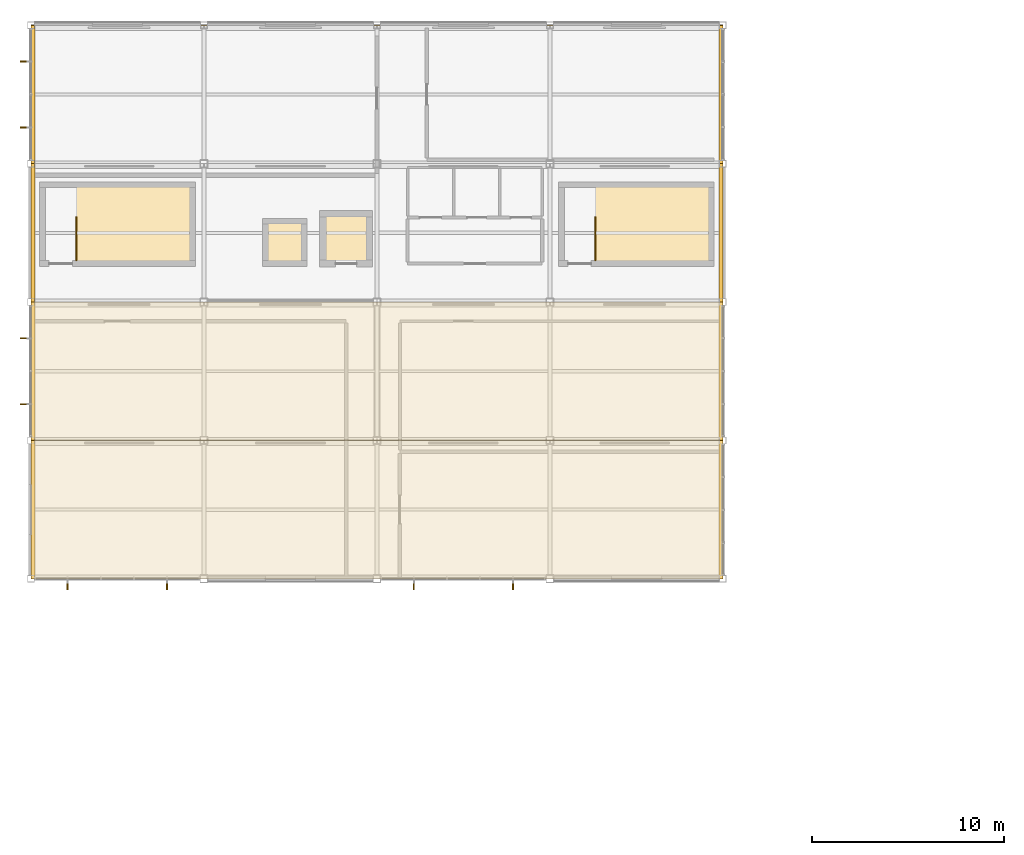
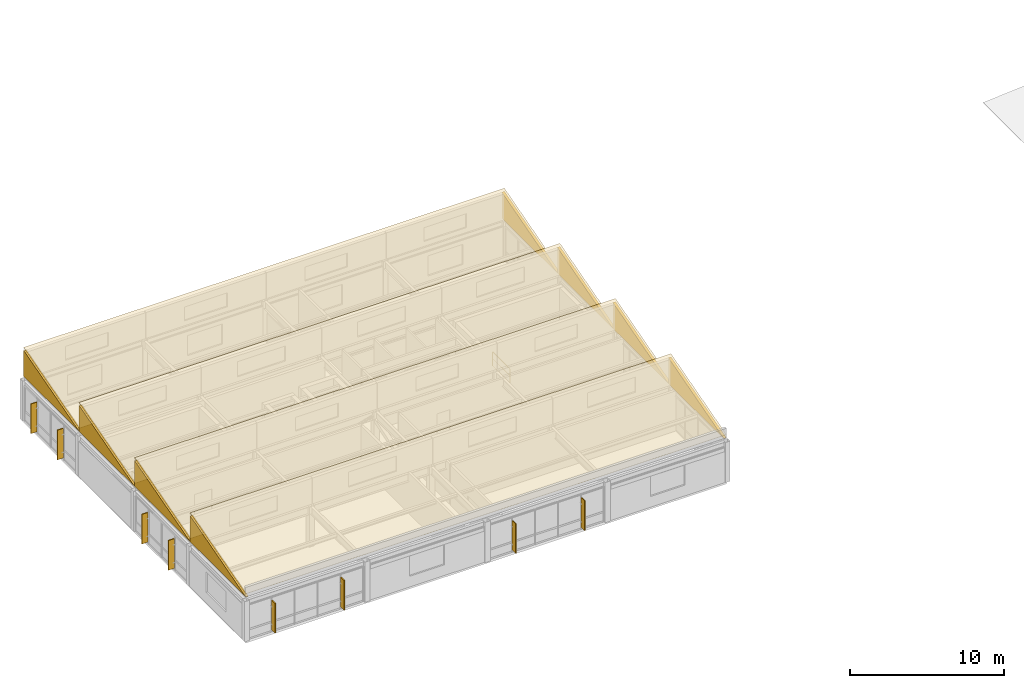
# One storey, part 41 of 43: 12 coverings, 8 shading devices, 2 railings.
"""IFC4 building model written with IfcOpenShell, lengths in metres."""

from ifc_helpers import new_model, si_unit, direction, frame, origin, origin_2d, place, context, subcontext, project, spatial, polyline, rectangle, outline, extrude, material, layer, layer_set, type_object, element, save


model = new_model("IFC4")

# Units and contexts
model_context = context("Model", 3, precision=1e-05, world=origin(), true_north=direction((0.0, 1.0)))
body_context = subcontext(model_context, "Body", "Model", "MODEL_VIEW")
ifc_project = project(units=[si_unit("LENGTHUNIT", "METRE"), si_unit("AREAUNIT", "SQUARE_METRE"), si_unit("VOLUMEUNIT", "CUBIC_METRE"), si_unit("PLANEANGLEUNIT", "RADIAN"), si_unit("MASSUNIT", "GRAM", prefix="KILO")], contexts=[model_context])

# Site, building, storey
site_placement = place(None, origin())
site = spatial("IfcSite", under=ifc_project, at=site_placement, CompositionType="ELEMENT")
building_placement = place(site_placement, origin())
building = spatial("IfcBuilding", under=site, at=building_placement, Name="Kazanami Central Library", CompositionType="ELEMENT")
storey_placement = place(building_placement, frame((0.0, 0.0, 20.60009765625)))
storey = spatial("IfcBuildingStorey", under=building, at=storey_placement, Name="L06", CompositionType="ELEMENT", Elevation=20.60009765625)

# Coverings
ifc_material_1 = material(Name="Honed Inada Granite", Category="masonry")
ifc_layer_1 = layer(ifc_material_1, 0.199951171875, Name="Honed Inada Granite")
ifc_layer_set_1 = layer_set([ifc_layer_1], Name="Honed Inada Granite")
covering_type_1 = type_object("IfcCoveringType", Name="COV-GAB-200", PredefinedType="CLADDING", material=ifc_layer_set_1)
for number, where, z_axis, x_axis, name in (
    (1, (0.199951171875, 64.800048828125, 3.39990234375), (1.0, 0.0, 0.0), (0.0, 1.0, 0.0), "Sawtooth Granite Gable Cheek West SAW-L06-V4-1"),
    (2, (36.0, 64.800048828125, 3.39990234375), (1.0, 0.0, 0.0), (0.0, 1.0, 0.0), "Sawtooth Granite Gable Cheek East SAW-L06-V4-1"),
    (3, (0.199951171875, 72.0, 3.39990234375), (1.0, 0.0, 0.0), (0.0, 1.0, 0.0), "Sawtooth Granite Gable Cheek West SAW-L06-V4-2"),
    (4, (36.0, 72.0, 3.39990234375), (1.0, 0.0, 0.0), (0.0, 1.0, 0.0), "Sawtooth Granite Gable Cheek East SAW-L06-V4-2"),
    (5, (0.199951171875, 79.199951171875, 3.39990234375), (1.0, 0.0, 0.0), (0.0, 1.0, 0.0), "Sawtooth Granite Gable Cheek West SAW-L06-V4-3"),
    (6, (36.0, 79.199951171875, 3.39990234375), (1.0, 0.0, 0.0), (0.0, 1.0, 0.0), "Sawtooth Granite Gable Cheek East SAW-L06-V4-3"),
):
    element("IfcCovering", number, at=place(storey_placement, frame(where, z_axis=z_axis, x_axis=x_axis)), inside=storey, type_object=covering_type_1, Name=name, PredefinedType="CLADDING", context=body_context, shape_type="SweptSolid", body=[
        extrude(outline(polyline([(0.0, 0.0), (7.199951171875, 0.0), (7.199951171875, 2.050048828125), (0.0, 0.0)])), origin(), (0.0, 0.0, -1.0), 0.199951171875),
    ])
for number, where, z_axis, x_axis, name in (
    (7, (0.199951171875, 86.39990234375, 3.39990234375), (1.0, 0.0, 0.0), (0.0, 1.0, 0.0), "Sawtooth Granite Gable Cheek West SAW-L06-V4-4"),
    (8, (36.0, 86.39990234375, 3.39990234375), (1.0, 0.0, 0.0), (0.0, 1.0, 0.0), "Sawtooth Granite Gable Cheek East SAW-L06-V4-4"),
):
    element("IfcCovering", number, at=place(storey_placement, frame(where, z_axis=z_axis, x_axis=x_axis)), inside=storey, type_object=covering_type_1, Name=name, PredefinedType="CLADDING", context=body_context, shape_type="SweptSolid", body=[
        extrude(outline(polyline([(0.0, 0.0), (7.2001953125, 0.0), (7.2001953125, 2.050048828125), (0.0, 0.0)])), origin(), (0.0, 0.0, -1.0), 0.199951171875),
    ])
ifc_material_2 = material(Name="Standing-Seam Titanium Zinc")
ifc_layer_2 = layer(ifc_material_2, 0.034912109375, Name="Standing-Seam Titanium Zinc")
ifc_layer_set_2 = layer_set([ifc_layer_2], Name="Standing-Seam Titanium Zinc")
covering_type_2 = type_object("IfcCoveringType", Name="COV-ZNC-35", PredefinedType="ROOFING", material=ifc_layer_set_2)
for number, where, z_axis, x_axis, name in (
    (9, (0.0, 64.800048828125, 3.644287109375), (0.0, -0.273846631803, 0.961773373644), (1.0, 0.0, 0.0), "Standing-Seam Zinc Sawtooth Roofing SAW-L06-V4-1"),
    (10, (0.0, 72.0, 3.644287109375), (0.0, -0.273846631803, 0.961773373644), (1.0, 0.0, 0.0), "Standing-Seam Zinc Sawtooth Roofing SAW-L06-V4-2"),
    (11, (0.0, 79.199951171875, 3.644287109375), (0.0, -0.273846631803, 0.961773373644), (1.0, 0.0, 0.0), "Standing-Seam Zinc Sawtooth Roofing SAW-L06-V4-3"),
):
    element("IfcCovering", number, at=place(storey_placement, frame(where, z_axis=z_axis, x_axis=x_axis)), inside=storey, type_object=covering_type_2, Name=name, PredefinedType="ROOFING", context=body_context, shape_type="SweptSolid", body=[
        extrude(outline(polyline([(0.0, 0.0), (36.0, 0.0), (36.0, 7.486120295258477), (0.0, 7.486120295258477), (0.0, 0.0)])), origin(), (0.0, 0.0, -1.0), 0.034912109375),
    ])
covering_placement = place(storey_placement, frame((0.0, 86.39990234375, 3.644287109375), z_axis=(0.0, -0.27383804265, 0.9617758192), x_axis=(1.0, 0.0, 0.0)))
element("IfcCovering", 12, at=covering_placement, inside=storey, type_object=covering_type_2, Name="Standing-Seam Zinc Sawtooth Roofing SAW-L06-V4-4", PredefinedType="ROOFING", context=body_context, shape_type="SweptSolid", body=[
    extrude(outline(polyline([(0.0, 0.0), (36.0, 0.0), (36.0, 7.486355103509561), (0.0, 7.486355103509561), (0.0, 0.0)])), origin(), (0.0, 0.0, -1.0), 0.034912109375),
])

# Railings
ifc_material_3 = material(Name="Stainless Steel SUS304", Category="steel")
railing_type = type_object("IfcRailingType", Name="RAL-GR-S1", PredefinedType="GUARDRAIL", material=ifc_material_3)
for number, where, name in (
    (13, (2.360107421875, 81.3701171875, 0.0), "Stair Well Guard ST-05 L06"),
    (14, (29.360107421875, 81.3701171875, 0.0), "Stair Well Guard ST-06 L06"),
):
    element("IfcRailing", number, at=place(storey_placement, frame(where)), inside=storey, type_object=railing_type, Name=name, PredefinedType="GUARDRAIL", context=body_context, shape_type="SweptSolid", body=[
        extrude(rectangle(XDim=0.0439453125, YDim=0.0439453125, at=origin_2d()), frame((0.0, 0.02587890625, 1.1279296875), z_axis=(0.0, 1.0, 0.0), x_axis=(-1.0, 0.0, 0.0)), (0.0, 0.0, 1.0), 2.207763671875),
        extrude(rectangle(XDim=0.02392578125, YDim=0.02392578125, at=origin_2d()), frame((0.0, 0.02587890625, 0.015869140625), z_axis=(0.0, 1.0, 0.0), x_axis=(-1.0, 0.0, 0.0)), (0.0, 0.0, 1.0), 2.207763671875),
        extrude(rectangle(XDim=0.02392578125, YDim=0.02392578125, at=origin_2d()), frame((0.0, 0.02587890625, 0.574951171875), z_axis=(0.0, 1.0, 0.0), x_axis=(-1.0, 0.0, 0.0)), (0.0, 0.0, 1.0), 2.207763671875),
        extrude(rectangle(XDim=0.035888671875, YDim=0.035888671875, at=origin_2d()), origin(), (0.0, 0.0, 1.0), 1.10205078125),
        extrude(rectangle(XDim=0.035888671875, YDim=0.035888671875, at=origin_2d()), frame((0.0, 2.259765625, 0.0)), (0.0, 0.0, 1.0), 1.10205078125),
    ])

# Shading devices
ifc_material_4 = material(Name="Anodised Bronze-Grey Aluminium A6063-T5", Category="aluminium")
shading_device_type = type_object("IfcShadingDeviceType", Name="SHD-FIN-3", PredefinedType="USERDEFINED", material=ifc_material_4)
for number, where, z_axis, x_axis, name in (
    (15, (1.89990234375, 64.455078125, 0.21484375), (0.0, 0.0, 1.0), (1.0, 0.0, 0.0), "Vertical Solar Fin SF-03 L06 S-K-00.1"),
    (16, (7.074951171875, 64.455078125, 0.21484375), (0.0, 0.0, 1.0), (1.0, 0.0, 0.0), "Vertical Solar Fin SF-03 L06 S-K-00.2"),
    (17, (19.919921875, 64.455078125, 0.21484375), (0.0, 0.0, 1.0), (1.0, 0.0, 0.0), "Vertical Solar Fin SF-03 L06 S-K-02.1"),
    (18, (25.080078125, 64.455078125, 0.21484375), (0.0, 0.0, 1.0), (1.0, 0.0, 0.0), "Vertical Solar Fin SF-03 L06 S-K-02.2"),
    (19, (-0.344970703125, 73.887451171875, 0.21484375), (0.0, 0.0, 1.0), (0.0, 1.0, 0.0), "Vertical Solar Fin SF-03 L06 W-1-10.1"),
    (20, (-0.344970703125, 77.3125, 0.21484375), (0.0, 0.0, 1.0), (0.0, 1.0, 0.0), "Vertical Solar Fin SF-03 L06 W-1-10.2"),
    (21, (-0.344970703125, 88.28759765625, 0.21484375), (0.0, 0.0, 1.0), (0.0, 1.0, 0.0), "Vertical Solar Fin SF-03 L06 W-1-12.1"),
    (22, (-0.344970703125, 91.71240234375, 0.21484375), (0.0, 0.0, 1.0), (0.0, 1.0, 0.0), "Vertical Solar Fin SF-03 L06 W-1-12.2"),
):
    element("IfcShadingDevice", number, at=place(storey_placement, frame(where, z_axis=z_axis, x_axis=x_axis)), inside=storey, type_object=shading_device_type, Name=name, ObjectType="SOLAR FIN", PredefinedType="USERDEFINED", context=body_context, shape_type="SweptSolid", body=[
        extrude(rectangle(XDim=0.06494140625, YDim=0.449951171875, at=origin_2d()), origin(), (0.0, 0.0, 1.0), 2.35009765625),
    ])

save(model, "model.ifc")
